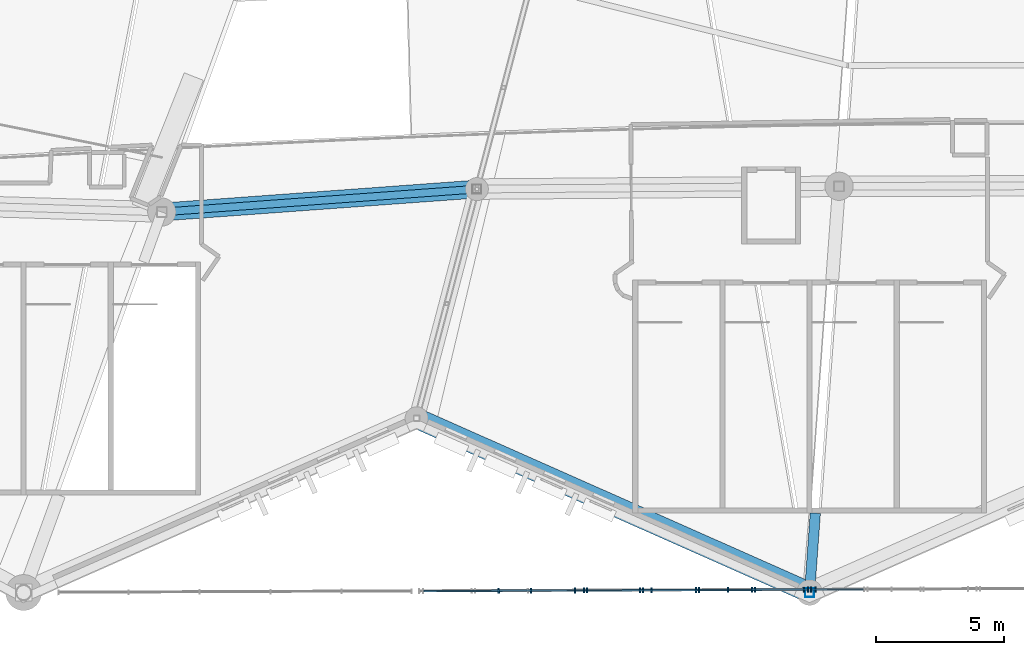
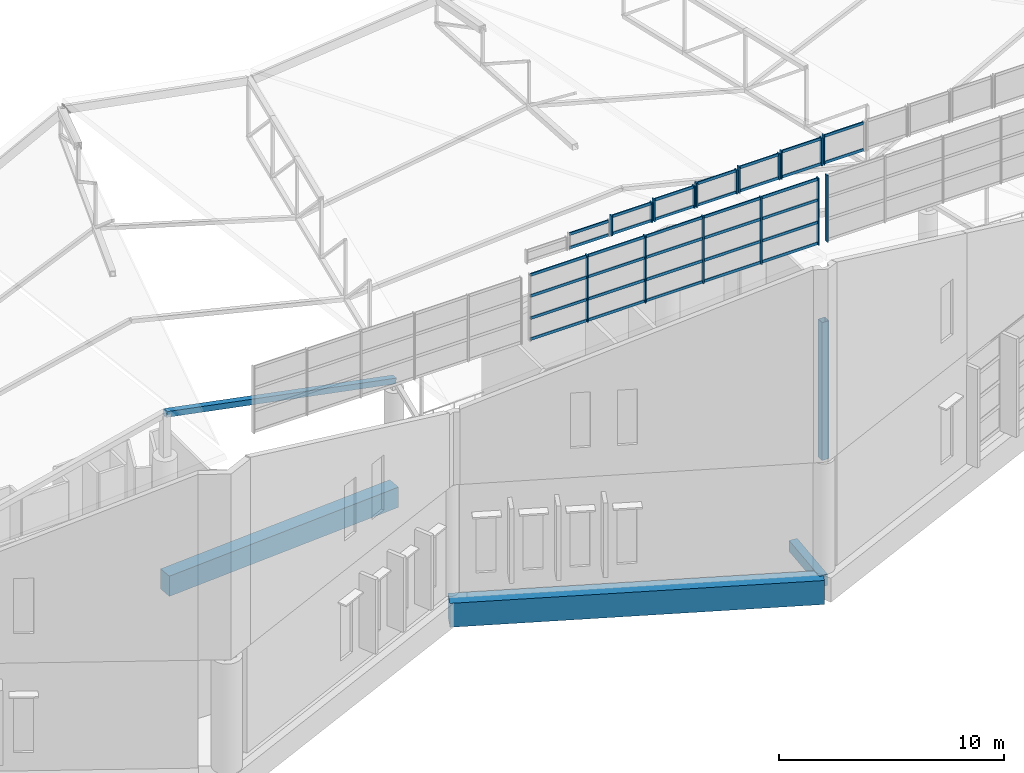
# One storey, part 26 of 344: 53 members, 3 beams, 9 elements without a shape of their own.
"""IFC4 building model written with IfcOpenShell, lengths in metres."""

from ifc_helpers import new_model, si_unit, direction, frame, origin, origin_2d, place, context, subcontext, project, spatial, rectangle, hollow_rectangle, extrude, material, layer, layer_set, material_profile, profile_set, type_object, element, aggregate, save


model = new_model("IFC4")

# Units and contexts
model_context = context("Model", 3, precision=1e-05, world=origin(), true_north=direction((0.0, 1.0)))
body_context = subcontext(model_context, "Body", "Model", "MODEL_VIEW")
ifc_project = project(units=[si_unit("LENGTHUNIT", "METRE"), si_unit("AREAUNIT", "SQUARE_METRE"), si_unit("VOLUMEUNIT", "CUBIC_METRE"), si_unit("PLANEANGLEUNIT", "RADIAN"), si_unit("MASSUNIT", "GRAM", prefix="KILO")], contexts=[model_context])

# Site, building, storey
site_placement = place(None, origin())
site = spatial("IfcSite", under=ifc_project, at=site_placement, CompositionType="ELEMENT")
building_placement = place(site_placement, origin())
building = spatial("IfcBuilding", under=site, at=building_placement, Name="Meseta Stadium", CompositionType="ELEMENT")
storey_placement = place(building_placement, frame((0.0, 0.0, 24.0)))
storey = spatial("IfcBuildingStorey", under=building, at=storey_placement, Name="L04", CompositionType="ELEMENT", Elevation=24.0)

# Curtain wall, members
ifc_material_1 = material(Name="Aluminium", Category="aluminium")
ifc_layer = layer(ifc_material_1, 0.199951171875)
ifc_layer_set = layer_set([ifc_layer], Name="Gable glazing curtain wall")
curtain_wall_type = type_object("IfcCurtainWallType", Name="Gable glazing curtain wall", PredefinedType="NOTDEFINED", material=ifc_layer_set)
curtain_wall_1_placement = place(storey_placement, origin())
curtain_wall_1 = element("IfcCurtainWall", 1, at=curtain_wall_1_placement, inside=storey, type_object=curtain_wall_type, Name="Gable glazing south bay 10", PredefinedType="NOTDEFINED")
ifc_material_2 = material(Name="Aluminium", Category="aluminium")
ifc_material_profile_1 = material_profile(ifc_material_2, rectangle(XDim=0.199951171875, YDim=0.06005859375, at=origin_2d()), Name="CW 200x60")
ifc_profile_set_1 = profile_set([ifc_material_profile_1], Name="Aluminium")
member_type_1 = type_object("IfcMemberType", Name="CW mullion 60x200", PredefinedType="MULLION", material=ifc_profile_set_1)
member_1_placement = place(storey_placement, frame((-18.53857421875, -105.32373046875, 21.85498046875), z_axis=(0.0, 0.0, 1.0), x_axis=(-0.003847534233, 0.999992598213, 0.0)))
member_1 = element("IfcMember", 2, at=member_1_placement, type_object=member_type_1, Name="CWG mullion 1", PredefinedType="MULLION", context=body_context, shape_type="SweptSolid", body=[
    extrude(rectangle(XDim=0.199951171875, YDim=0.06005859375, at=origin_2d()), origin(), (0.0, 0.0, 1.0), 1.07861328125),
])
member_2_placement = place(storey_placement, frame((-16.475830078125, -105.31591796875, 21.85498046875), z_axis=(0.0, 0.0, 1.0), x_axis=(-0.003847534233, 0.999992598213, 0.0)))
member_2 = element("IfcMember", 3, at=member_2_placement, type_object=member_type_1, Name="CWG mullion 2", PredefinedType="MULLION", context=body_context, shape_type="SweptSolid", body=[
    extrude(rectangle(XDim=0.199951171875, YDim=0.06005859375, at=origin_2d()), origin(), (0.0, 0.0, 1.0), 1.07861328125),
])

curtain_wall_2_placement = place(storey_placement, origin())
curtain_wall_2 = element("IfcCurtainWall", 4, at=curtain_wall_2_placement, inside=storey, type_object=curtain_wall_type, Name="Gable glazing south bay 11", PredefinedType="NOTDEFINED")
member_3_placement = place(storey_placement, frame((-16.35205078125, -105.3154296875, 21.85498046875), z_axis=(0.0, 0.0, 1.0), x_axis=(-0.003847534233, 0.999992598213, 0.0)))
member_3 = element("IfcMember", 5, at=member_3_placement, type_object=member_type_1, Name="CWG mullion 1", PredefinedType="MULLION", context=body_context, shape_type="SweptSolid", body=[
    extrude(rectangle(XDim=0.199951171875, YDim=0.06005859375, at=origin_2d()), origin(), (0.0, 0.0, 1.0), 1.20556640625),
])
member_4_placement = place(storey_placement, frame((-14.289306640625, -105.307373046875, 21.85498046875), z_axis=(0.0, 0.0, 1.0), x_axis=(-0.003847534233, 0.999992598213, 0.0)))
member_4 = element("IfcMember", 6, at=member_4_placement, type_object=member_type_1, Name="CWG mullion 2", PredefinedType="MULLION", context=body_context, shape_type="SweptSolid", body=[
    extrude(rectangle(XDim=0.199951171875, YDim=0.06005859375, at=origin_2d()), origin(), (0.0, 0.0, 1.0), 1.20556640625),
])

curtain_wall_3_placement = place(storey_placement, origin())
curtain_wall_3 = element("IfcCurtainWall", 7, at=curtain_wall_3_placement, inside=storey, type_object=curtain_wall_type, Name="Gable glazing south bay 12", PredefinedType="NOTDEFINED")
member_5_placement = place(storey_placement, frame((-14.165283203125, -105.30712890625, 21.85498046875), z_axis=(0.0, 0.0, 1.0), x_axis=(-0.003847534233, 0.999992598213, 0.0)))
member_5 = element("IfcMember", 8, at=member_5_placement, type_object=member_type_1, Name="CWG mullion 1", PredefinedType="MULLION", context=body_context, shape_type="SweptSolid", body=[
    extrude(rectangle(XDim=0.199951171875, YDim=0.06005859375, at=origin_2d()), origin(), (0.0, 0.0, 1.0), 1.320068359375),
])
member_6_placement = place(storey_placement, frame((-12.1025390625, -105.299072265625, 21.85498046875), z_axis=(0.0, 0.0, 1.0), x_axis=(-0.003847534233, 0.999992598213, 0.0)))
member_6 = element("IfcMember", 9, at=member_6_placement, type_object=member_type_1, Name="CWG mullion 2", PredefinedType="MULLION", context=body_context, shape_type="SweptSolid", body=[
    extrude(rectangle(XDim=0.199951171875, YDim=0.06005859375, at=origin_2d()), origin(), (0.0, 0.0, 1.0), 1.320068359375),
])

curtain_wall_4_placement = place(storey_placement, origin())
curtain_wall_4 = element("IfcCurtainWall", 10, at=curtain_wall_4_placement, inside=storey, type_object=curtain_wall_type, Name="Gable glazing south bay 13", PredefinedType="NOTDEFINED")
member_7_placement = place(storey_placement, frame((-11.978515625, -105.298583984375, 21.85498046875), z_axis=(0.0, 0.0, 1.0), x_axis=(-0.003847534233, 0.999992598213, 0.0)))
member_7 = element("IfcMember", 11, at=member_7_placement, type_object=member_type_1, Name="CWG mullion 1", PredefinedType="MULLION", context=body_context, shape_type="SweptSolid", body=[
    extrude(rectangle(XDim=0.199951171875, YDim=0.06005859375, at=origin_2d()), origin(), (0.0, 0.0, 1.0), 1.422607421875),
])
member_8_placement = place(storey_placement, frame((-9.915771484375, -105.290771484375, 21.85498046875), z_axis=(0.0, 0.0, 1.0), x_axis=(-0.003847534233, 0.999992598213, 0.0)))
member_8 = element("IfcMember", 12, at=member_8_placement, type_object=member_type_1, Name="CWG mullion 2", PredefinedType="MULLION", context=body_context, shape_type="SweptSolid", body=[
    extrude(rectangle(XDim=0.199951171875, YDim=0.06005859375, at=origin_2d()), origin(), (0.0, 0.0, 1.0), 1.422607421875),
])

curtain_wall_5_placement = place(storey_placement, origin())
curtain_wall_5 = element("IfcCurtainWall", 13, at=curtain_wall_5_placement, inside=storey, type_object=curtain_wall_type, Name="Gable glazing south bay 14", PredefinedType="NOTDEFINED")
member_9_placement = place(storey_placement, frame((-9.791748046875, -105.290283203125, 21.85498046875), z_axis=(0.0, 0.0, 1.0), x_axis=(-0.003847534233, 0.999992598213, 0.0)))
member_9 = element("IfcMember", 14, at=member_9_placement, type_object=member_type_1, Name="CWG mullion 1", PredefinedType="MULLION", context=body_context, shape_type="SweptSolid", body=[
    extrude(rectangle(XDim=0.199951171875, YDim=0.06005859375, at=origin_2d()), origin(), (0.0, 0.0, 1.0), 1.51318359375),
])
member_10_placement = place(storey_placement, frame((-7.72900390625, -105.2822265625, 21.85498046875), z_axis=(0.0, 0.0, 1.0), x_axis=(-0.003847534233, 0.999992598213, 0.0)))
member_10 = element("IfcMember", 15, at=member_10_placement, type_object=member_type_1, Name="CWG mullion 2", PredefinedType="MULLION", context=body_context, shape_type="SweptSolid", body=[
    extrude(rectangle(XDim=0.199951171875, YDim=0.06005859375, at=origin_2d()), origin(), (0.0, 0.0, 1.0), 1.51318359375),
])

# Curtain wall, member
curtain_wall_6_placement = place(storey_placement, origin())
curtain_wall_6 = element("IfcCurtainWall", 16, at=curtain_wall_6_placement, inside=storey, type_object=curtain_wall_type, Name="Gable glazing south bay 15", PredefinedType="NOTDEFINED")
member_11_placement = place(storey_placement, frame((-7.605224609375, -105.28173828125, 21.85498046875), z_axis=(0.0, 0.0, 1.0), x_axis=(-0.003847534652, 0.999992598211, 0.0)))
member_11 = element("IfcMember", 17, at=member_11_placement, type_object=member_type_1, Name="CWG mullion 1", PredefinedType="MULLION", context=body_context, shape_type="SweptSolid", body=[
    extrude(rectangle(XDim=0.199951171875, YDim=0.06005859375, at=origin_2d()), origin(), (0.0, 0.0, 1.0), 1.59228515625),
])

# Curtain wall, members
curtain_wall_7_placement = place(storey_placement, origin())
curtain_wall_7 = element("IfcCurtainWall", 18, at=curtain_wall_7_placement, inside=storey, type_object=curtain_wall_type, Name="Gable glazing south lower bay 02", PredefinedType="NOTDEFINED")
member_12_placement = place(storey_placement, frame((-19.79541015625, -105.32861328125, 17.60009765625), z_axis=(0.0, 0.0, 1.0), x_axis=(-0.003847534198, 0.999992598213, 0.0)))
member_12 = element("IfcMember", 19, at=member_12_placement, type_object=member_type_1, Name="CWG mullion 2", PredefinedType="MULLION", context=body_context, shape_type="SweptSolid", body=[
    extrude(rectangle(XDim=0.199951171875, YDim=0.06005859375, at=origin_2d()), origin(), (0.0, 0.0, 1.0), 3.635009765625),
])
member_13_placement = place(storey_placement, frame((-16.812255859375, -105.317138671875, 17.60009765625), z_axis=(0.0, 0.0, 1.0), x_axis=(-0.003847534198, 0.999992598213, 0.0)))
member_13 = element("IfcMember", 20, at=member_13_placement, type_object=member_type_1, Name="CWG mullion 3", PredefinedType="MULLION", context=body_context, shape_type="SweptSolid", body=[
    extrude(rectangle(XDim=0.199951171875, YDim=0.06005859375, at=origin_2d()), origin(), (0.0, 0.0, 1.0), 3.635009765625),
])
member_14_placement = place(storey_placement, frame((-13.8291015625, -105.3056640625, 17.60009765625), z_axis=(0.0, 0.0, 1.0), x_axis=(-0.003847534198, 0.999992598213, 0.0)))
member_14 = element("IfcMember", 21, at=member_14_placement, type_object=member_type_1, Name="CWG mullion 4", PredefinedType="MULLION", context=body_context, shape_type="SweptSolid", body=[
    extrude(rectangle(XDim=0.199951171875, YDim=0.06005859375, at=origin_2d()), origin(), (0.0, 0.0, 1.0), 3.635009765625),
])
member_15_placement = place(storey_placement, frame((-10.845703125, -105.294189453125, 17.60009765625), z_axis=(0.0, 0.0, 1.0), x_axis=(-0.003847534198, 0.999992598213, 0.0)))
member_15 = element("IfcMember", 22, at=member_15_placement, type_object=member_type_1, Name="CWG mullion 5", PredefinedType="MULLION", context=body_context, shape_type="SweptSolid", body=[
    extrude(rectangle(XDim=0.199951171875, YDim=0.06005859375, at=origin_2d()), origin(), (0.0, 0.0, 1.0), 3.635009765625),
])
member_16_placement = place(storey_placement, frame((-7.892578125, -105.282958984375, 17.60009765625), z_axis=(0.0, 0.0, 1.0), x_axis=(-0.003847534198, 0.999992598213, 0.0)))
member_16 = element("IfcMember", 23, at=member_16_placement, type_object=member_type_1, Name="CWG mullion 6", PredefinedType="MULLION", context=body_context, shape_type="SweptSolid", body=[
    extrude(rectangle(XDim=0.199951171875, YDim=0.06005859375, at=origin_2d()), origin(), (0.0, 0.0, 1.0), 3.635009765625),
])

# Curtain wall, member
curtain_wall_8_placement = place(storey_placement, origin())
curtain_wall_8 = element("IfcCurtainWall", 24, at=curtain_wall_8_placement, inside=storey, type_object=curtain_wall_type, Name="Gable glazing south lower bay 03", PredefinedType="NOTDEFINED")
member_17_placement = place(storey_placement, frame((-7.441650390625, -105.28125, 17.60009765625), z_axis=(0.0, 0.0, 1.0), x_axis=(-0.003847534216, 0.999992598213, 0.0)))
member_17 = element("IfcMember", 25, at=member_17_placement, type_object=member_type_1, Name="CWG mullion 1", PredefinedType="MULLION", context=body_context, shape_type="SweptSolid", body=[
    extrude(rectangle(XDim=0.199951171875, YDim=0.06005859375, at=origin_2d()), origin(), (0.0, 0.0, 1.0), 3.635009765625),
])
aggregate(curtain_wall_8, [member_17])

# Curtain wall, members
curtain_wall_9_placement = place(storey_placement, origin())
curtain_wall_9 = element("IfcCurtainWall", 26, at=curtain_wall_9_placement, inside=storey, type_object=curtain_wall_type, Name="Gable glazing south bay 09", PredefinedType="NOTDEFINED")
ifc_material_3 = material(Name="Aluminium", Category="aluminium")
ifc_material_profile_2 = material_profile(ifc_material_3, rectangle(XDim=0.06005859375, YDim=0.14990234375, at=origin_2d()), Name="CW 60x150")
ifc_profile_set_2 = profile_set([ifc_material_profile_2], Name="Aluminium")
member_type_2 = type_object("IfcMemberType", Name="CW transom 60x150", PredefinedType="USERDEFINED", material=ifc_profile_set_2)
member_18_placement = place(storey_placement, frame((-20.6953125, -105.33203125, 21.929931640625), z_axis=(0.999992859258, 0.00377907822, 0.0), x_axis=(-0.00377907822, 0.999992859258, 0.0)))
member_18 = element("IfcMember", 27, at=member_18_placement, type_object=member_type_2, Name="CWG transom 1.1", ObjectType="TRANSOM", PredefinedType="USERDEFINED", context=body_context, shape_type="SweptSolid", body=[
    extrude(rectangle(XDim=0.06005859375, YDim=0.14990234375, at=origin_2d()), origin(), (0.0, 0.0, 1.0), 2.002685546875),
])
member_19_placement = place(storey_placement, frame((-20.6953125, -105.33203125, 22.669189453125), z_axis=(0.999992859258, 0.00377907822, 0.0), x_axis=(-0.00377907822, 0.999992859258, 0.0)))
member_19 = element("IfcMember", 28, at=member_19_placement, type_object=member_type_2, Name="CWG transom 1.2", ObjectType="TRANSOM", PredefinedType="USERDEFINED", context=body_context, shape_type="SweptSolid", body=[
    extrude(rectangle(XDim=0.06005859375, YDim=0.14990234375, at=origin_2d()), origin(), (0.0, 0.0, 1.0), 2.002685546875),
])
aggregate(curtain_wall_9, [member_18, member_19])

# Member
member_20_placement = place(storey_placement, frame((-18.508544921875, -105.32373046875, 21.929931640625), z_axis=(0.99999239114, 0.003900982143, 0.0), x_axis=(-0.003900982143, 0.99999239114, 0.0)))
member_20 = element("IfcMember", 29, at=member_20_placement, type_object=member_type_2, Name="CWG transom 1.1", ObjectType="TRANSOM", PredefinedType="USERDEFINED", context=body_context, shape_type="SweptSolid", body=[
    extrude(rectangle(XDim=0.06005859375, YDim=0.14990234375, at=origin_2d()), origin(), (0.0, 0.0, 1.0), 2.002685546875),
])

member_21_placement = place(storey_placement, frame((-18.508544921875, -105.32373046875, 22.858642578125), z_axis=(0.99999239114, 0.003900982143, 0.0), x_axis=(-0.003900982143, 0.99999239114, 0.0)))
member_21 = element("IfcMember", 30, at=member_21_placement, type_object=member_type_2, Name="CWG transom 1.2", ObjectType="TRANSOM", PredefinedType="USERDEFINED", context=body_context, shape_type="SweptSolid", body=[
    extrude(rectangle(XDim=0.06005859375, YDim=0.14990234375, at=origin_2d()), origin(), (0.0, 0.0, 1.0), 2.002685546875),
])

aggregate(curtain_wall_1, [member_1, member_2, member_20, member_21])

member_22_placement = place(storey_placement, frame((-16.322021484375, -105.3154296875, 21.929931640625), z_axis=(0.99999239114, 0.003900982143, 0.0), x_axis=(-0.003900982143, 0.99999239114, 0.0)))
member_22 = element("IfcMember", 31, at=member_22_placement, type_object=member_type_2, Name="CWG transom 1.1", ObjectType="TRANSOM", PredefinedType="USERDEFINED", context=body_context, shape_type="SweptSolid", body=[
    extrude(rectangle(XDim=0.06005859375, YDim=0.14990234375, at=origin_2d()), origin(), (0.0, 0.0, 1.0), 2.002685546875),
])

member_23_placement = place(storey_placement, frame((-16.322021484375, -105.3154296875, 22.985595703125), z_axis=(0.99999239114, 0.003900982143, 0.0), x_axis=(-0.003900982143, 0.99999239114, 0.0)))
member_23 = element("IfcMember", 32, at=member_23_placement, type_object=member_type_2, Name="CWG transom 1.2", ObjectType="TRANSOM", PredefinedType="USERDEFINED", context=body_context, shape_type="SweptSolid", body=[
    extrude(rectangle(XDim=0.06005859375, YDim=0.14990234375, at=origin_2d()), origin(), (0.0, 0.0, 1.0), 2.002685546875),
])

aggregate(curtain_wall_2, [member_3, member_4, member_22, member_23])

member_24_placement = place(storey_placement, frame((-14.13525390625, -105.306884765625, 21.929931640625), z_axis=(0.99999239114, 0.003900982143, 0.0), x_axis=(-0.003900982143, 0.99999239114, 0.0)))
member_24 = element("IfcMember", 33, at=member_24_placement, type_object=member_type_2, Name="CWG transom 1.1", ObjectType="TRANSOM", PredefinedType="USERDEFINED", context=body_context, shape_type="SweptSolid", body=[
    extrude(rectangle(XDim=0.06005859375, YDim=0.14990234375, at=origin_2d()), origin(), (0.0, 0.0, 1.0), 2.002685546875),
])

member_25_placement = place(storey_placement, frame((-14.13525390625, -105.306884765625, 23.10009765625), z_axis=(0.99999239114, 0.003900982143, 0.0), x_axis=(-0.003900982143, 0.99999239114, 0.0)))
member_25 = element("IfcMember", 34, at=member_25_placement, type_object=member_type_2, Name="CWG transom 1.2", ObjectType="TRANSOM", PredefinedType="USERDEFINED", context=body_context, shape_type="SweptSolid", body=[
    extrude(rectangle(XDim=0.06005859375, YDim=0.14990234375, at=origin_2d()), origin(), (0.0, 0.0, 1.0), 2.002685546875),
])

aggregate(curtain_wall_3, [member_5, member_6, member_24, member_25])

member_26_placement = place(storey_placement, frame((-11.948486328125, -105.298583984375, 21.929931640625), z_axis=(0.99999239114, 0.003900982143, 0.0), x_axis=(-0.003900982143, 0.99999239114, 0.0)))
member_26 = element("IfcMember", 35, at=member_26_placement, type_object=member_type_2, Name="CWG transom 1.1", ObjectType="TRANSOM", PredefinedType="USERDEFINED", context=body_context, shape_type="SweptSolid", body=[
    extrude(rectangle(XDim=0.06005859375, YDim=0.14990234375, at=origin_2d()), origin(), (0.0, 0.0, 1.0), 2.002685546875),
])

member_27_placement = place(storey_placement, frame((-11.948486328125, -105.298583984375, 23.20263671875), z_axis=(0.99999239114, 0.003900982143, 0.0), x_axis=(-0.003900982143, 0.99999239114, 0.0)))
member_27 = element("IfcMember", 36, at=member_27_placement, type_object=member_type_2, Name="CWG transom 1.2", ObjectType="TRANSOM", PredefinedType="USERDEFINED", context=body_context, shape_type="SweptSolid", body=[
    extrude(rectangle(XDim=0.06005859375, YDim=0.14990234375, at=origin_2d()), origin(), (0.0, 0.0, 1.0), 2.002685546875),
])

aggregate(curtain_wall_4, [member_7, member_8, member_26, member_27])

member_28_placement = place(storey_placement, frame((-9.76171875, -105.2900390625, 21.929931640625), z_axis=(0.999992859258, 0.00377907822, 0.0), x_axis=(-0.00377907822, 0.999992859258, 0.0)))
member_28 = element("IfcMember", 37, at=member_28_placement, type_object=member_type_2, Name="CWG transom 1.1", ObjectType="TRANSOM", PredefinedType="USERDEFINED", context=body_context, shape_type="SweptSolid", body=[
    extrude(rectangle(XDim=0.06005859375, YDim=0.14990234375, at=origin_2d()), origin(), (0.0, 0.0, 1.0), 2.002685546875),
])

member_29_placement = place(storey_placement, frame((-9.76171875, -105.2900390625, 23.293212890625), z_axis=(0.999992859258, 0.00377907822, 0.0), x_axis=(-0.00377907822, 0.999992859258, 0.0)))
member_29 = element("IfcMember", 38, at=member_29_placement, type_object=member_type_2, Name="CWG transom 1.2", ObjectType="TRANSOM", PredefinedType="USERDEFINED", context=body_context, shape_type="SweptSolid", body=[
    extrude(rectangle(XDim=0.06005859375, YDim=0.14990234375, at=origin_2d()), origin(), (0.0, 0.0, 1.0), 2.002685546875),
])

aggregate(curtain_wall_5, [member_9, member_10, member_28, member_29])

member_30_placement = place(storey_placement, frame((-7.5751953125, -105.28173828125, 21.929931640625), z_axis=(0.999992448325, 0.003886295646, 0.0), x_axis=(-0.003886295646, 0.999992448325, 0.0)))
member_30 = element("IfcMember", 39, at=member_30_placement, type_object=member_type_2, Name="CWG transom 1.1", ObjectType="TRANSOM", PredefinedType="USERDEFINED", context=body_context, shape_type="SweptSolid", body=[
    extrude(rectangle(XDim=0.06005859375, YDim=0.14990234375, at=origin_2d()), origin(), (0.0, 0.0, 1.0), 2.01025390625),
])

member_31_placement = place(storey_placement, frame((-7.5751953125, -105.28173828125, 23.372314453125), z_axis=(0.999992448325, 0.003886295646, 0.0), x_axis=(-0.003886295646, 0.999992448325, 0.0)))
member_31 = element("IfcMember", 40, at=member_31_placement, type_object=member_type_2, Name="CWG transom 1.2", ObjectType="TRANSOM", PredefinedType="USERDEFINED", context=body_context, shape_type="SweptSolid", body=[
    extrude(rectangle(XDim=0.06005859375, YDim=0.14990234375, at=origin_2d()), origin(), (0.0, 0.0, 1.0), 2.01025390625),
])

aggregate(curtain_wall_6, [member_11, member_30, member_31])

member_32_placement = place(storey_placement, frame((-22.718505859375, -105.33984375, 17.675048828125), z_axis=(0.999992789695, 0.003797440974, 0.0), x_axis=(-0.003797440974, 0.999992789695, 0.0)))
member_32 = element("IfcMember", 41, at=member_32_placement, type_object=member_type_2, Name="CWG transom 1.1", ObjectType="TRANSOM", PredefinedType="USERDEFINED", context=body_context, shape_type="SweptSolid", body=[
    extrude(rectangle(XDim=0.06005859375, YDim=0.14990234375, at=origin_2d()), origin(), (0.0, 0.0, 1.0), 2.89306640625),
])

member_33_placement = place(storey_placement, frame((-22.718505859375, -105.33984375, 18.811767578125), z_axis=(0.999992789695, 0.003797440974, 0.0), x_axis=(-0.003797440974, 0.999992789695, 0.0)))
member_33 = element("IfcMember", 42, at=member_33_placement, type_object=member_type_2, Name="CWG transom 1.2", ObjectType="TRANSOM", PredefinedType="USERDEFINED", context=body_context, shape_type="SweptSolid", body=[
    extrude(rectangle(XDim=0.06005859375, YDim=0.14990234375, at=origin_2d()), origin(), (0.0, 0.0, 1.0), 2.89306640625),
])

member_34_placement = place(storey_placement, frame((-22.718505859375, -105.33984375, 20.0234375), z_axis=(0.999992789695, 0.003797440974, 0.0), x_axis=(-0.003797440974, 0.999992789695, 0.0)))
member_34 = element("IfcMember", 43, at=member_34_placement, type_object=member_type_2, Name="CWG transom 1.3", ObjectType="TRANSOM", PredefinedType="USERDEFINED", context=body_context, shape_type="SweptSolid", body=[
    extrude(rectangle(XDim=0.06005859375, YDim=0.14990234375, at=origin_2d()), origin(), (0.0, 0.0, 1.0), 2.89306640625),
])

member_35_placement = place(storey_placement, frame((-22.718505859375, -105.33984375, 21.159912109375), z_axis=(0.999992789695, 0.003797440974, 0.0), x_axis=(-0.003797440974, 0.999992789695, 0.0)))
member_35 = element("IfcMember", 44, at=member_35_placement, type_object=member_type_2, Name="CWG transom 1.4", ObjectType="TRANSOM", PredefinedType="USERDEFINED", context=body_context, shape_type="SweptSolid", body=[
    extrude(rectangle(XDim=0.06005859375, YDim=0.14990234375, at=origin_2d()), origin(), (0.0, 0.0, 1.0), 2.89306640625),
])

member_36_placement = place(storey_placement, frame((-19.765380859375, -105.32861328125, 17.675048828125), z_axis=(0.999992619685, 0.003841949428, 0.0), x_axis=(-0.003841949428, 0.999992619685, 0.0)))
member_36 = element("IfcMember", 45, at=member_36_placement, type_object=member_type_2, Name="CWG transom 2.1", ObjectType="TRANSOM", PredefinedType="USERDEFINED", context=body_context, shape_type="SweptSolid", body=[
    extrude(rectangle(XDim=0.06005859375, YDim=0.14990234375, at=origin_2d()), origin(), (0.0, 0.0, 1.0), 2.923095703125),
])

member_37_placement = place(storey_placement, frame((-19.765380859375, -105.32861328125, 18.811767578125), z_axis=(0.999992619685, 0.003841949428, 0.0), x_axis=(-0.003841949428, 0.999992619685, 0.0)))
member_37 = element("IfcMember", 46, at=member_37_placement, type_object=member_type_2, Name="CWG transom 2.2", ObjectType="TRANSOM", PredefinedType="USERDEFINED", context=body_context, shape_type="SweptSolid", body=[
    extrude(rectangle(XDim=0.06005859375, YDim=0.14990234375, at=origin_2d()), origin(), (0.0, 0.0, 1.0), 2.923095703125),
])

member_38_placement = place(storey_placement, frame((-19.765380859375, -105.32861328125, 20.0234375), z_axis=(0.999992619685, 0.003841949428, 0.0), x_axis=(-0.003841949428, 0.999992619685, 0.0)))
member_38 = element("IfcMember", 47, at=member_38_placement, type_object=member_type_2, Name="CWG transom 2.3", ObjectType="TRANSOM", PredefinedType="USERDEFINED", context=body_context, shape_type="SweptSolid", body=[
    extrude(rectangle(XDim=0.06005859375, YDim=0.14990234375, at=origin_2d()), origin(), (0.0, 0.0, 1.0), 2.923095703125),
])

member_39_placement = place(storey_placement, frame((-19.765380859375, -105.32861328125, 21.159912109375), z_axis=(0.999992619685, 0.003841949428, 0.0), x_axis=(-0.003841949428, 0.999992619685, 0.0)))
member_39 = element("IfcMember", 48, at=member_39_placement, type_object=member_type_2, Name="CWG transom 2.4", ObjectType="TRANSOM", PredefinedType="USERDEFINED", context=body_context, shape_type="SweptSolid", body=[
    extrude(rectangle(XDim=0.06005859375, YDim=0.14990234375, at=origin_2d()), origin(), (0.0, 0.0, 1.0), 2.923095703125),
])

member_40_placement = place(storey_placement, frame((-16.7822265625, -105.317138671875, 17.675048828125), z_axis=(0.999992620918, 0.003841628575, 0.0), x_axis=(-0.003841628575, 0.999992620918, 0.0)))
member_40 = element("IfcMember", 49, at=member_40_placement, type_object=member_type_2, Name="CWG transom 3.1", ObjectType="TRANSOM", PredefinedType="USERDEFINED", context=body_context, shape_type="SweptSolid", body=[
    extrude(rectangle(XDim=0.06005859375, YDim=0.14990234375, at=origin_2d()), origin(), (0.0, 0.0, 1.0), 2.92333984375),
])

member_41_placement = place(storey_placement, frame((-16.7822265625, -105.317138671875, 18.811767578125), z_axis=(0.999992620918, 0.003841628575, 0.0), x_axis=(-0.003841628575, 0.999992620918, 0.0)))
member_41 = element("IfcMember", 50, at=member_41_placement, type_object=member_type_2, Name="CWG transom 3.2", ObjectType="TRANSOM", PredefinedType="USERDEFINED", context=body_context, shape_type="SweptSolid", body=[
    extrude(rectangle(XDim=0.06005859375, YDim=0.14990234375, at=origin_2d()), origin(), (0.0, 0.0, 1.0), 2.92333984375),
])

member_42_placement = place(storey_placement, frame((-16.7822265625, -105.317138671875, 20.0234375), z_axis=(0.999992620918, 0.003841628575, 0.0), x_axis=(-0.003841628575, 0.999992620918, 0.0)))
member_42 = element("IfcMember", 51, at=member_42_placement, type_object=member_type_2, Name="CWG transom 3.3", ObjectType="TRANSOM", PredefinedType="USERDEFINED", context=body_context, shape_type="SweptSolid", body=[
    extrude(rectangle(XDim=0.06005859375, YDim=0.14990234375, at=origin_2d()), origin(), (0.0, 0.0, 1.0), 2.92333984375),
])

member_43_placement = place(storey_placement, frame((-16.7822265625, -105.317138671875, 21.159912109375), z_axis=(0.999992620918, 0.003841628575, 0.0), x_axis=(-0.003841628575, 0.999992620918, 0.0)))
member_43 = element("IfcMember", 52, at=member_43_placement, type_object=member_type_2, Name="CWG transom 3.4", ObjectType="TRANSOM", PredefinedType="USERDEFINED", context=body_context, shape_type="SweptSolid", body=[
    extrude(rectangle(XDim=0.06005859375, YDim=0.14990234375, at=origin_2d()), origin(), (0.0, 0.0, 1.0), 2.92333984375),
])

member_44_placement = place(storey_placement, frame((-13.799072265625, -105.3056640625, 17.675048828125), z_axis=(0.999992620918, 0.003841628575, 0.0), x_axis=(-0.003841628575, 0.999992620918, 0.0)))
member_44 = element("IfcMember", 53, at=member_44_placement, type_object=member_type_2, Name="CWG transom 4.1", ObjectType="TRANSOM", PredefinedType="USERDEFINED", context=body_context, shape_type="SweptSolid", body=[
    extrude(rectangle(XDim=0.06005859375, YDim=0.14990234375, at=origin_2d()), origin(), (0.0, 0.0, 1.0), 2.92333984375),
])

member_45_placement = place(storey_placement, frame((-13.799072265625, -105.3056640625, 18.811767578125), z_axis=(0.999992620918, 0.003841628575, 0.0), x_axis=(-0.003841628575, 0.999992620918, 0.0)))
member_45 = element("IfcMember", 54, at=member_45_placement, type_object=member_type_2, Name="CWG transom 4.2", ObjectType="TRANSOM", PredefinedType="USERDEFINED", context=body_context, shape_type="SweptSolid", body=[
    extrude(rectangle(XDim=0.06005859375, YDim=0.14990234375, at=origin_2d()), origin(), (0.0, 0.0, 1.0), 2.92333984375),
])

member_46_placement = place(storey_placement, frame((-13.799072265625, -105.3056640625, 20.0234375), z_axis=(0.999992620918, 0.003841628575, 0.0), x_axis=(-0.003841628575, 0.999992620918, 0.0)))
member_46 = element("IfcMember", 55, at=member_46_placement, type_object=member_type_2, Name="CWG transom 4.3", ObjectType="TRANSOM", PredefinedType="USERDEFINED", context=body_context, shape_type="SweptSolid", body=[
    extrude(rectangle(XDim=0.06005859375, YDim=0.14990234375, at=origin_2d()), origin(), (0.0, 0.0, 1.0), 2.92333984375),
])

member_47_placement = place(storey_placement, frame((-13.799072265625, -105.3056640625, 21.159912109375), z_axis=(0.999992620918, 0.003841628575, 0.0), x_axis=(-0.003841628575, 0.999992620918, 0.0)))
member_47 = element("IfcMember", 56, at=member_47_placement, type_object=member_type_2, Name="CWG transom 4.4", ObjectType="TRANSOM", PredefinedType="USERDEFINED", context=body_context, shape_type="SweptSolid", body=[
    extrude(rectangle(XDim=0.06005859375, YDim=0.14990234375, at=origin_2d()), origin(), (0.0, 0.0, 1.0), 2.92333984375),
])

member_48_placement = place(storey_placement, frame((-10.81591796875, -105.294189453125, 17.675048828125), z_axis=(0.999992466951, 0.003881499745, 0.0), x_axis=(-0.003881499745, 0.999992466951, 0.0)))
member_48 = element("IfcMember", 57, at=member_48_placement, type_object=member_type_2, Name="CWG transom 5.1", ObjectType="TRANSOM", PredefinedType="USERDEFINED", context=body_context, shape_type="SweptSolid", body=[
    extrude(rectangle(XDim=0.06005859375, YDim=0.14990234375, at=origin_2d()), origin(), (0.0, 0.0, 1.0), 2.893310546875),
])

member_49_placement = place(storey_placement, frame((-10.81591796875, -105.294189453125, 18.811767578125), z_axis=(0.999992466951, 0.003881499745, 0.0), x_axis=(-0.003881499745, 0.999992466951, 0.0)))
member_49 = element("IfcMember", 58, at=member_49_placement, type_object=member_type_2, Name="CWG transom 5.2", ObjectType="TRANSOM", PredefinedType="USERDEFINED", context=body_context, shape_type="SweptSolid", body=[
    extrude(rectangle(XDim=0.06005859375, YDim=0.14990234375, at=origin_2d()), origin(), (0.0, 0.0, 1.0), 2.893310546875),
])

member_50_placement = place(storey_placement, frame((-10.81591796875, -105.294189453125, 20.0234375), z_axis=(0.999992466951, 0.003881499745, 0.0), x_axis=(-0.003881499745, 0.999992466951, 0.0)))
member_50 = element("IfcMember", 59, at=member_50_placement, type_object=member_type_2, Name="CWG transom 5.3", ObjectType="TRANSOM", PredefinedType="USERDEFINED", context=body_context, shape_type="SweptSolid", body=[
    extrude(rectangle(XDim=0.06005859375, YDim=0.14990234375, at=origin_2d()), origin(), (0.0, 0.0, 1.0), 2.893310546875),
])

member_51_placement = place(storey_placement, frame((-10.81591796875, -105.294189453125, 21.159912109375), z_axis=(0.999992466951, 0.003881499745, 0.0), x_axis=(-0.003881499745, 0.999992466951, 0.0)))
member_51 = element("IfcMember", 60, at=member_51_placement, type_object=member_type_2, Name="CWG transom 5.4", ObjectType="TRANSOM", PredefinedType="USERDEFINED", context=body_context, shape_type="SweptSolid", body=[
    extrude(rectangle(XDim=0.06005859375, YDim=0.14990234375, at=origin_2d()), origin(), (0.0, 0.0, 1.0), 2.893310546875),
])

aggregate(curtain_wall_7, [member_12, member_13, member_14, member_15, member_16, member_32, member_33, member_34, member_35, member_36, member_37, member_38, member_39, member_40, member_41, member_42, member_43, member_44, member_45, member_46, member_47, member_48, member_49, member_50, member_51])

# Beams
ifc_material_4 = material(Name="Concrete C40/50", Category="concrete")
ifc_material_profile_3 = material_profile(ifc_material_4, rectangle(XDim=0.39990234375, YDim=0.60009765625, at=origin_2d()), Name="RC 400x600")
ifc_profile_set_3 = profile_set([ifc_material_profile_3], Name="Concrete C40/50")
beam_type_1 = type_object("IfcBeamType", Name="RC beam 400x600", PredefinedType="BEAM", material=ifc_profile_set_3)
beam_1_placement = place(storey_placement, frame((-7.44189453125, -102.300048828125, -0.699951171875), z_axis=(-0.072346739974, -0.997379541205, 0.0), x_axis=(0.997379541205, -0.072346739974, 0.0)))
element("IfcBeam", 61, at=beam_1_placement, inside=storey, type_object=beam_type_1, Name="L04 radial beam frame 46 line P to R", PredefinedType="BEAM", context=body_context, shape_type="SweptSolid", body=[
    extrude(rectangle(XDim=0.39990234375, YDim=0.60009765625, at=origin_2d()), origin(), (0.0, 0.0, 1.0), 3.10791015625),
])
ifc_material_5 = material(Name="Concrete C40/50", Category="concrete")
ifc_material_profile_4 = material_profile(ifc_material_5, rectangle(XDim=0.699951171875, YDim=1.10009765625, at=origin_2d()), Name="RC 700x1100")
ifc_profile_set_4 = profile_set([ifc_material_profile_4], Name="Concrete C40/50")
beam_type_2 = type_object("IfcBeamType", Name="RC beam 700x1100", PredefinedType="BEAM", material=ifc_profile_set_4)
beam_2_placement = place(storey_placement, frame((-32.944091796875, -90.551025390625, -0.949951171875), z_axis=(0.99736209032, 0.072586918881, 0.0), x_axis=(-0.072586918881, 0.99736209032, 0.0)))
element("IfcBeam", 62, at=beam_2_placement, inside=storey, type_object=beam_type_2, Name="L04 ring beam frame 44 line P", PredefinedType="BEAM", context=body_context, shape_type="SweptSolid", body=[
    extrude(rectangle(XDim=0.699951171875, YDim=1.10009765625, at=origin_2d()), origin(), (0.0, 0.0, 1.0), 12.326904296875),
])
ifc_material_6 = material(Name="Concrete C40/50", Category="concrete")
ifc_material_profile_5 = material_profile(ifc_material_6, rectangle(XDim=0.800048828125, YDim=1.300048828125, at=origin_2d()), Name="RC 800x1300")
ifc_profile_set_5 = profile_set([ifc_material_profile_5], Name="Concrete C40/50")
beam_type_3 = type_object("IfcBeamType", Name="RC beam 800x1300", PredefinedType="BEAM", material=ifc_profile_set_5)
beam_3_placement = place(storey_placement, frame((-23.0, -98.60009765625, -1.050048828125), z_axis=(0.914142564088, -0.405392861953, 0.0), x_axis=(0.405392861953, 0.914142564088, 0.0)))
element("IfcBeam", 63, at=beam_3_placement, inside=storey, type_object=beam_type_3, Name="L04 ring beam frame 45 line R", PredefinedType="BEAM", context=body_context, shape_type="SweptSolid", body=[
    extrude(rectangle(XDim=0.800048828125, YDim=1.300048828125, at=origin_2d()), origin(), (0.0, 0.0, 1.0), 16.7734375),
])

# Members
ifc_material_7 = material(Name="Steel S355", Category="steel")
ifc_material_profile_6 = material_profile(ifc_material_7, hollow_rectangle(XDim=0.300048828125, YDim=0.300048828125, WallThickness=0.010009765625, at=origin_2d()), Name="SHS 300x300x10")
ifc_profile_set_6 = profile_set([ifc_material_profile_6], Name="Steel S355")
member_type_3 = type_object("IfcMemberType", Name="SHS 300x300x10 pivot strut", PredefinedType="STRUT", material=ifc_profile_set_6)
member_52_placement = place(storey_placement, frame((-32.944091796875, -90.551025390625, 8.27099609375), z_axis=(0.96865612013, 0.07049772986, -0.23819192056), x_axis=(-0.072586918881, 0.99736209032, 0.0)))
element("IfcMember", 64, at=member_52_placement, inside=storey, type_object=member_type_3, Name="ROOF PIVOT STRUT RT-44/45", PredefinedType="STRUT", context=body_context, shape_type="SweptSolid", body=[
    extrude(hollow_rectangle(XDim=0.300048828125, YDim=0.300048828125, WallThickness=0.010009765625, at=origin_2d()), origin(), (0.0, 0.0, 1.0), 12.692138671875),
])
ifc_material_8 = material(Name="Steel S355", Category="steel")
ifc_material_profile_7 = material_profile(ifc_material_8, hollow_rectangle(XDim=0.35009765625, YDim=0.35009765625, WallThickness=0.010009765625, at=origin_2d()), Name="SHS 350x350x10")
ifc_profile_set_7 = profile_set([ifc_material_profile_7], Name="Steel S355")
member_type_4 = type_object("IfcMemberType", Name="SHS 350x350x10 rim post", PredefinedType="POST", material=ifc_profile_set_7)
member_53_placement = place(storey_placement, frame((-7.666748046875, -105.39990234375, 6.0), z_axis=(0.0, 0.0, 1.0), x_axis=(1.0, 0.0, 0.0)))
element("IfcMember", 65, at=member_53_placement, inside=storey, type_object=member_type_4, Name="ROOF RIM POST RT-46", PredefinedType="POST", context=body_context, shape_type="SweptSolid", body=[
    extrude(hollow_rectangle(XDim=0.35009765625, YDim=0.35009765625, WallThickness=0.010009765625, at=origin_2d()), origin(), (0.0, 0.0, 1.0), 7.486083984375),
])

save(model, "model.ifc")
